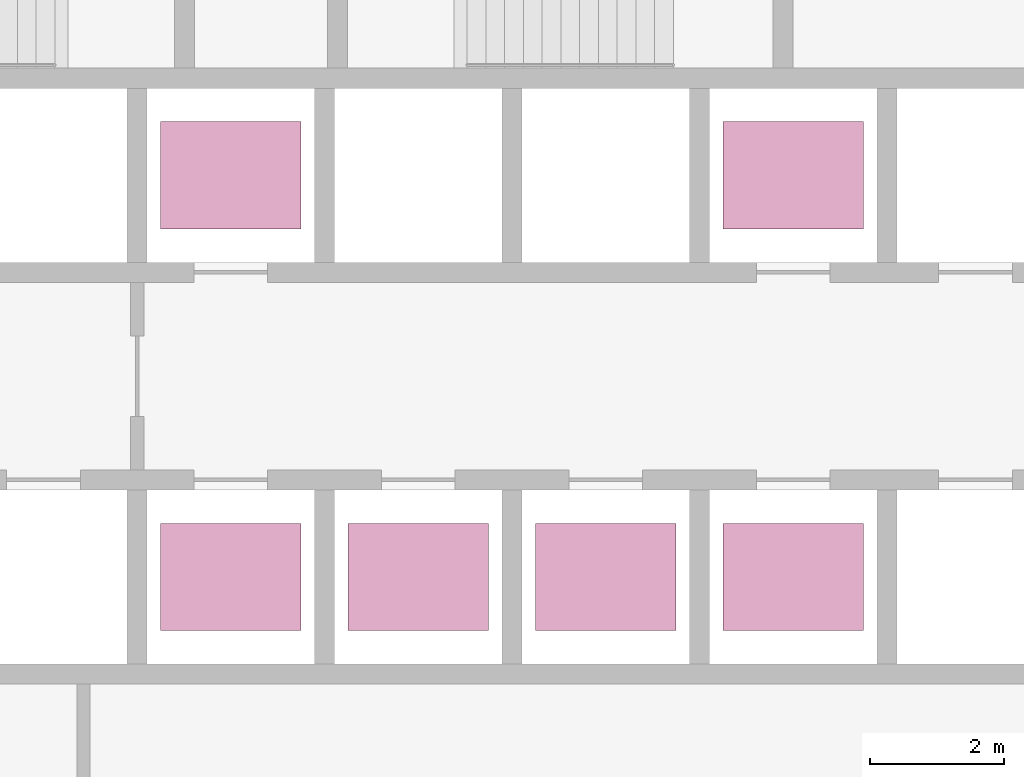
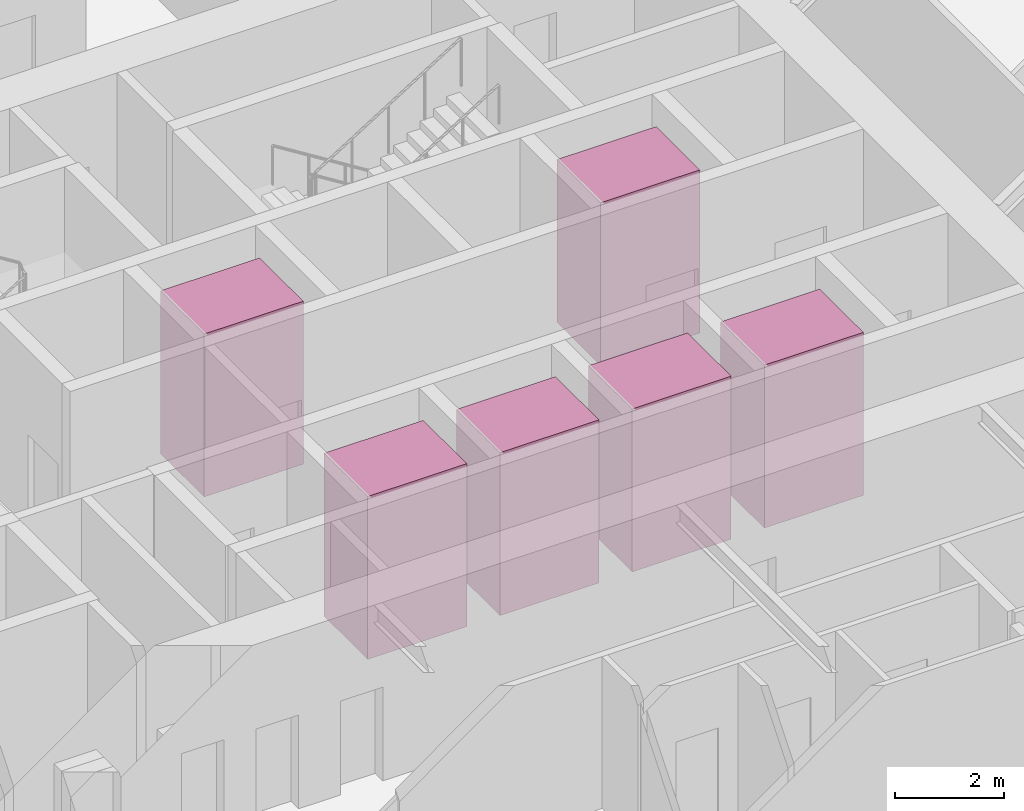
# One storey, part 26 of 26: 6 transport elements.
"""IFC4 building model written with IfcOpenShell, lengths in metres."""

from ifc_helpers import new_model, si_unit, direction, frame, origin, origin_2d, place, context, subcontext, project, spatial, rectangle, extrude, material, type_object, element, save


model = new_model("IFC4")

# Units and contexts
model_context = context("Model", 3, precision=1e-05, world=origin(), true_north=direction((0.0, 1.0)))
body_context = subcontext(model_context, "Body", "Model", "MODEL_VIEW")
ifc_project = project(units=[si_unit("LENGTHUNIT", "METRE"), si_unit("AREAUNIT", "SQUARE_METRE"), si_unit("VOLUMEUNIT", "CUBIC_METRE"), si_unit("PLANEANGLEUNIT", "RADIAN"), si_unit("MASSUNIT", "GRAM", prefix="KILO")], contexts=[model_context])

# Site, building, storey
site_placement = place(None, origin())
site = spatial("IfcSite", under=ifc_project, at=site_placement, CompositionType="ELEMENT")
building_placement = place(site_placement, origin())
building = spatial("IfcBuilding", under=site, at=building_placement, Name="Firuza Gate Tower and Library", CompositionType="ELEMENT")
storey_placement = place(building_placement, frame((0.0, 0.0, 40.0)))
storey = spatial("IfcBuildingStorey", under=building, at=storey_placement, Name="L08", CompositionType="ELEMENT", Elevation=40.0)

# Transport elements
ifc_material = material(Name="Stainless steel and glass", Category="steel")
transport_element_type = type_object("IfcTransportElementType", Name="Low-rise lift car 2100x1600", PredefinedType="ELEVATOR", material=ifc_material)
for number, where, z_axis, x_axis, name in (
    (1, (74.64990234375, 70.300048828125, 0.0), (0.0, 0.0, 1.0), (1.0, 0.0, 0.0), "Low-rise lift LR1"),
    (2, (77.449951171875, 70.300048828125, 0.0), (0.0, 0.0, 1.0), (1.0, 0.0, 0.0), "Low-rise lift LR2"),
    (3, (80.25, 70.300048828125, 0.0), (0.0, 0.0, 1.0), (1.0, 0.0, 0.0), "Low-rise lift LR3"),
    (4, (74.64990234375, 76.300048828125, 0.0), (0.0, 0.0, 1.0), (1.0, 0.0, 0.0), "Low-rise lift LR4"),
    (5, (83.050048828125, 70.300048828125, 0.0), (0.0, 0.0, 1.0), (1.0, 0.0, 0.0), "Low-rise lift LR5"),
    (6, (83.050048828125, 76.300048828125, 0.0), (0.0, 0.0, 1.0), (1.0, 0.0, 0.0), "Low-rise lift LR6"),
):
    element("IfcTransportElement", number, at=place(storey_placement, frame(where, z_axis=z_axis, x_axis=x_axis)), inside=storey, type_object=transport_element_type, Name=name, PredefinedType="ELEVATOR", context=body_context, shape_type="SweptSolid", body=[
        extrude(rectangle(XDim=2.10009765625, YDim=1.60009765625, at=origin_2d()), origin(), (0.0, 0.0, 1.0), 3.64990234375),
    ])

save(model, "model.ifc")
